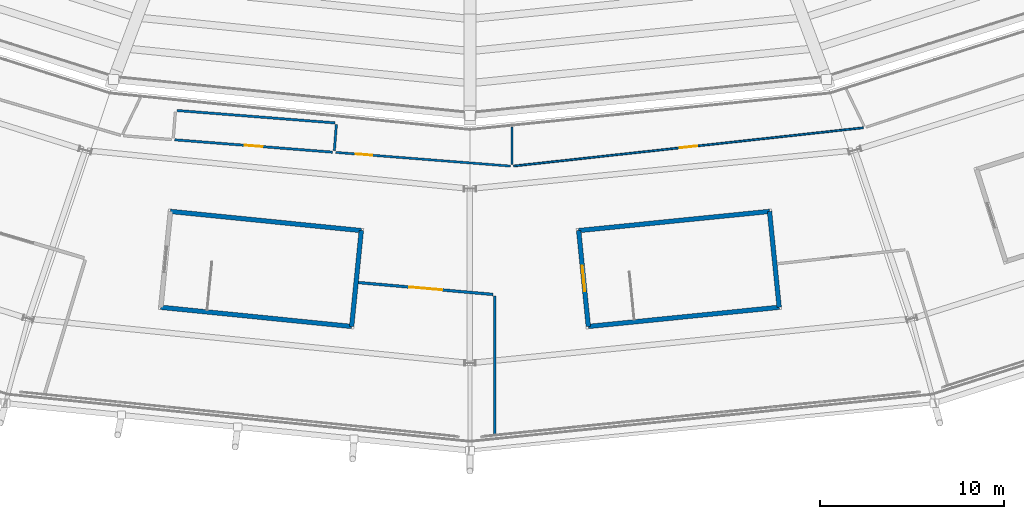
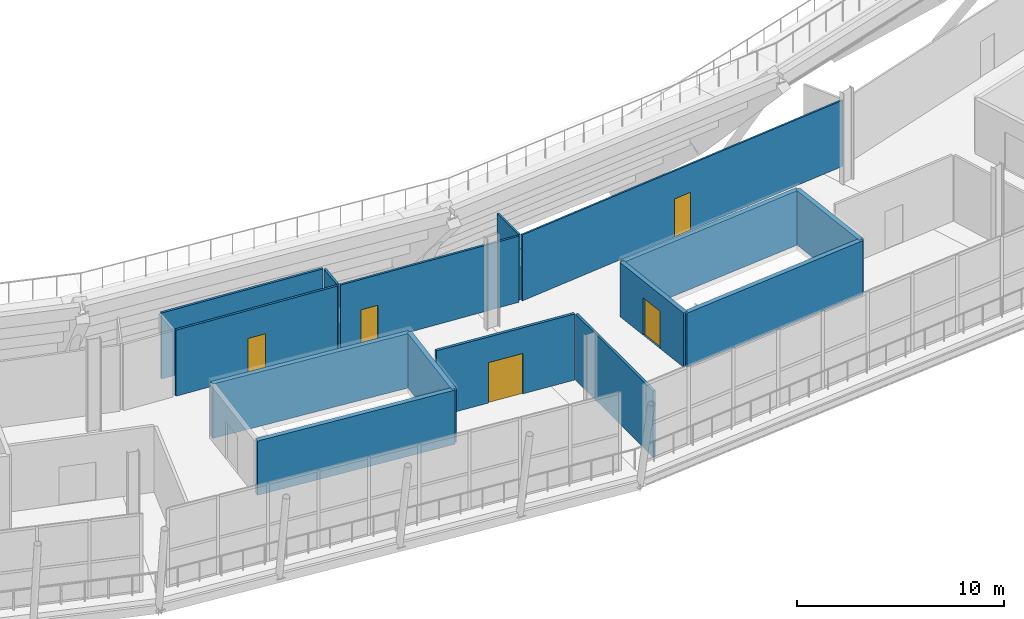
# One storey, part 96 of 126: 15 walls, 5 doors, 5 openings.
"""IFC4 building model written with IfcOpenShell, lengths in metres."""

from ifc_helpers import new_model, si_unit, direction, frame, frame_2d, origin, place, context, subcontext, project, spatial, rectangle, extrude, material, layer, layer_set, type_object, element, fill, save


model = new_model("IFC4")

# Units and contexts
model_context = context("Model", 3, precision=1e-05, world=origin(), true_north=direction((0.0, 1.0)))
body_context = subcontext(model_context, "Body", "Model", "MODEL_VIEW")
ifc_project = project(units=[si_unit("LENGTHUNIT", "METRE"), si_unit("AREAUNIT", "SQUARE_METRE"), si_unit("VOLUMEUNIT", "CUBIC_METRE"), si_unit("PLANEANGLEUNIT", "RADIAN"), si_unit("MASSUNIT", "GRAM", prefix="KILO")], contexts=[model_context])

# Site, building, storey
site_placement = place(None, origin())
site = spatial("IfcSite", under=ifc_project, at=site_placement, CompositionType="ELEMENT")
building_placement = place(site_placement, origin())
building = spatial("IfcBuilding", under=site, at=building_placement, Name="Zlatoyarsky Gate Stadium", CompositionType="ELEMENT")
storey_placement = place(building_placement, frame((0.0, 0.0, 20.800048828125)))
storey = spatial("IfcBuildingStorey", under=building, at=storey_placement, Name="L04", CompositionType="ELEMENT", Elevation=20.800048828125)

# Wall
ifc_material_1 = material(Name="Moisture-resistant masonry partition", Category="masonry")
ifc_layer_1 = layer(ifc_material_1, 0.139892578125)
ifc_layer_set_1 = layer_set([ifc_layer_1], Name="Moisture-resistant masonry partition")
wall_type_1 = type_object("IfcWallType", Name="ATHLETE CHANGING BLOCK PARTITION 140", PredefinedType="PARTITIONING", material=ifc_layer_set_1)
wall_1_placement = place(storey_placement, frame((112.34326171875, 12.64990234375, 0.0), z_axis=(0.0, 0.0, 1.0), x_axis=(-3.2561623e-05, -0.99999999947, 0.0)))
element("IfcWall", 1, at=wall_1_placement, inside=storey, type_object=wall_type_1, Name="L04 interior partition PRT-L04-ORD-17R", PredefinedType="PARTITIONING", context=body_context, shape_type="SweptSolid", body=[
    extrude(rectangle(XDim=7.497802734375, YDim=0.139892578125, at=frame_2d((3.7490234375, 0.0))), origin(), (0.0, 0.0, 1.0), 3.889892578125),
])

# Wall, opening, door
ifc_material_2 = material(Name="Metal-stud gypsum partition", Category="gypsum")
ifc_layer_2 = layer(ifc_material_2, 0.14990234375)
ifc_layer_set_2 = layer_set([ifc_layer_2], Name="Metal-stud gypsum partition")
wall_type_2 = type_object("IfcWallType", Name="CONCOURSE CORRIDOR PARTITION 150", PredefinedType="PARTITIONING", material=ifc_layer_set_2)
wall_2_placement = place(storey_placement, frame((104.924560546875, 13.3896484375, 0.0), z_axis=(0.0, 0.0, 1.0), x_axis=(0.996125750198, -0.087940262634, 0.0)))
wall_2 = element("IfcWall", 2, at=wall_2_placement, inside=storey, type_object=wall_type_2, Name="L04 interior partition PRT-L04-OCC-17-1", PredefinedType="PARTITIONING", context=body_context, shape_type="SweptSolid", body=[
    extrude(rectangle(XDim=7.362548828125, YDim=0.14990234375, at=frame_2d((3.68115234375, 0.0))), origin(), (0.0, 0.0, 1.0), 3.889892578125),
])
opening_1_placement = place(wall_2_placement, frame((2.771240234375, 0.0, 0.0)))
opening_1 = element("IfcOpeningElement", 3, at=opening_1_placement, cuts=wall_2, Name="Opening D-L04-592", PredefinedType="OPENING", context=body_context, shape_type="SweptSolid", body=[
    extrude(rectangle(XDim=1.820068359375, YDim=2.3798828125, at=frame_2d((0.91015625, 1.18994140625))), frame((0.0, 0.0849609375, 0.0), z_axis=(0.0, -1.0, 0.0), x_axis=(1.0, 0.0, 0.0)), (0.0, 0.0, 1.0), 0.169921875),
])
ifc_material_3 = material(Name="Powder-coated steel fire door", Category="steel")
door_type_1 = type_object("IfcDoorType", Name="ACOUSTIC INTERIOR DOOR 1820X2380", OperationType="NOTDEFINED", PredefinedType="DOOR", material=ifc_material_3)
door_1_placement = place(opening_1_placement, origin())
door_1 = element("IfcDoor", 4, at=door_1_placement, inside=storey, type_object=door_type_1, Name="L04 room door D-L04-592", OperationType="SINGLE_SWING_LEFT", OverallHeight=2.3798828125, OverallWidth=1.820068359375, PredefinedType="DOOR", context=body_context, shape_type="SweptSolid", body=[
    extrude(rectangle(XDim=1.820068359375, YDim=2.3798828125, at=frame_2d((0.91015625, 1.18994140625))), frame((0.0, 0.02490234375, 0.0), z_axis=(0.0, -1.0, 0.0), x_axis=(1.0, 0.0, 0.0)), (0.0, 0.0, 1.0), 0.050048828125),
])
fill(opening_1, door_1)

ifc_material_4 = material(Name="Concrete C40/50", Category="concrete")
ifc_layer_3 = layer(ifc_material_4, 0.25)
ifc_layer_set_3 = layer_set([ifc_layer_3], Name="Concrete C40/50")
wall_type_3 = type_object("IfcWallType", Name="CONCRETE STAIR CORE SHEAR WALL 250", PredefinedType="SHEAR", material=ifc_layer_set_3)
wall_3_placement = place(storey_placement, frame((116.92138671875, 16.220947265625, 0.0), z_axis=(0.0, 0.0, 1.0), x_axis=(0.100028593886, -0.994984562898, 0.0)))
wall_3 = element("IfcWall", 5, at=wall_3_placement, inside=storey, type_object=wall_type_3, Name="ST-10 L04 stair core entrance shear wall", PredefinedType="SHEAR", context=body_context, shape_type="SweptSolid", body=[
    extrude(rectangle(XDim=5.25, YDim=0.25, at=frame_2d((2.625, 0.0))), origin(), (0.0, 0.0, 1.0), 3.199951171875),
])
opening_2_placement = place(wall_3_placement, frame((1.925048828125, 0.0, 0.0)))
opening_2 = element("IfcOpeningElement", 6, at=opening_2_placement, cuts=wall_3, Name="Opening SD-ST-10-L04", PredefinedType="OPENING", context=body_context, shape_type="SweptSolid", body=[
    extrude(rectangle(XDim=1.39990234375, YDim=2.199951171875, at=frame_2d((0.699951171875, 1.10009765625))), frame((0.0, 0.135009765625, 0.0), z_axis=(0.0, -1.0, 0.0), x_axis=(1.0, 0.0, 0.0)), (0.0, 0.0, 1.0), 0.27001953125),
])
door_type_2 = type_object("IfcDoorType", Name="STAIR CORE FIRE EXIT DOOR 1400X2200", OperationType="NOTDEFINED", PredefinedType="DOOR", material=ifc_material_3)
door_2_placement = place(opening_2_placement, frame((1.39990234375, 0.0, 0.0), z_axis=(0.0, 0.0, 1.0), x_axis=(-1.0, 0.0, 0.0)))
door_2 = element("IfcDoor", 7, at=door_2_placement, inside=storey, type_object=door_type_2, Name="ST-10 L04 stair fire door", OperationType="SINGLE_SWING_RIGHT", OverallHeight=2.199951171875, OverallWidth=1.39990234375, PredefinedType="DOOR", context=body_context, shape_type="SweptSolid", body=[
    extrude(rectangle(XDim=1.39990234375, YDim=2.199951171875, at=frame_2d((0.699951171875, 1.10009765625))), frame((0.0, 0.02490234375, 0.0), z_axis=(0.0, -1.0, 0.0), x_axis=(1.0, 0.0, 0.0)), (0.0, 0.0, 1.0), 0.050048828125),
])
fill(opening_2, door_2)

# Walls
wall_4_placement = place(storey_placement, frame((117.446533203125, 10.997314453125, 0.0), z_axis=(0.0, 0.0, 1.0), x_axis=(0.994985938948, 0.100014905366, 0.0)))
element("IfcWall", 8, at=wall_4_placement, inside=storey, type_object=wall_type_3, Name="ST-10 L04 stair core left shear wall", PredefinedType="SHEAR", context=body_context, shape_type="SweptSolid", body=[
    extrude(rectangle(XDim=10.4501953125, YDim=0.25, at=frame_2d((5.22509765625, 0.0))), origin(), (0.0, 0.0, 1.0), 3.199951171875),
])
wall_5_placement = place(storey_placement, frame((127.84423828125, 12.04248046875, 0.0), z_axis=(0.0, 0.0, 1.0), x_axis=(-0.100028593886, 0.994984562898, 0.0)))
element("IfcWall", 9, at=wall_5_placement, inside=storey, type_object=wall_type_3, Name="ST-10 L04 stair core far shear wall", PredefinedType="SHEAR", context=body_context, shape_type="SweptSolid", body=[
    extrude(rectangle(XDim=5.25, YDim=0.25, at=frame_2d((2.625, 0.0))), origin(), (0.0, 0.0, 1.0), 3.199951171875),
])
for number, where, z_axis, x_axis, name in (
    (10, (127.319091796875, 17.26611328125, 0.0), (0.0, 0.0, 1.0), (-0.994985938948, -0.100014905366, 0.0), "ST-10 L04 stair core right shear wall"),
    (11, (94.15576171875, 12.042236328125, 0.0), (0.0, 0.0, 1.0), (0.994988263568, -0.09999177647, 0.0), "ST-19 L04 stair core left shear wall"),
):
    element("IfcWall", number, at=place(storey_placement, frame(where, z_axis=z_axis, x_axis=x_axis)), inside=storey, type_object=wall_type_3, Name=name, PredefinedType="SHEAR", context=body_context, shape_type="SweptSolid", body=[
        extrude(rectangle(XDim=10.4501953125, YDim=0.25, at=frame_2d((5.22509765625, 0.0))), origin(), (0.0, 0.0, 1.0), 3.199951171875),
    ])
wall_6_placement = place(storey_placement, frame((104.553466796875, 10.997314453125, 0.0), z_axis=(0.0, 0.0, 1.0), x_axis=(0.099982555566, 0.994989190184, 0.0)))
element("IfcWall", 12, at=wall_6_placement, inside=storey, type_object=wall_type_3, Name="ST-19 L04 stair core far shear wall", PredefinedType="SHEAR", context=body_context, shape_type="SweptSolid", body=[
    extrude(rectangle(XDim=5.25, YDim=0.25, at=frame_2d((2.625, 0.0))), origin(), (0.0, 0.0, 1.0), 3.199951171875),
])
wall_7_placement = place(storey_placement, frame((105.078369140625, 16.220947265625, 0.0), z_axis=(0.0, 0.0, 1.0), x_axis=(-0.994985705245, 0.100017230303, 0.0)))
element("IfcWall", 13, at=wall_7_placement, inside=storey, type_object=wall_type_3, Name="ST-19 L04 stair core right shear wall", PredefinedType="SHEAR", context=body_context, shape_type="SweptSolid", body=[
    extrude(rectangle(XDim=10.449951171875, YDim=0.25, at=frame_2d((5.22509765625, 0.0))), origin(), (0.0, 0.0, 1.0), 3.199951171875),
])
ifc_layer_4 = layer(ifc_material_2, 0.110107421875)
ifc_layer_set_4 = layer_set([ifc_layer_4], Name="Metal-stud gypsum partition")
wall_type_4 = type_object("IfcWallType", Name="KIOSK SERVICE PARTITION 110", PredefinedType="PARTITIONING", material=ifc_layer_set_4)
wall_8_placement = place(storey_placement, frame((113.288330078125, 21.86669921875, 0.0), z_axis=(0.0, 0.0, 1.0), x_axis=(0.000118906063, -0.999999992931, 0.0)))
element("IfcWall", 14, at=wall_8_placement, inside=storey, type_object=wall_type_4, Name="L04 interior partition PRT-L04-IRD-18", PredefinedType="PARTITIONING", context=body_context, shape_type="SweptSolid", body=[
    extrude(rectangle(XDim=2.05322265625, YDim=0.110107421875, at=frame_2d((1.026611328125, 0.0))), origin(), (0.0, 0.0, 1.0), 3.889892578125),
])

# Wall, opening, door
ifc_layer_5 = layer(ifc_material_2, 0.10009765625)
ifc_layer_set_5 = layer_set([ifc_layer_5], Name="Metal-stud gypsum partition")
wall_type_5 = type_object("IfcWallType", Name="LIGHT STORAGE PARTITION 100", PredefinedType="PARTITIONING", material=ifc_layer_set_5)
wall_9_placement = place(storey_placement, frame((113.373046875, 19.737548828125, 0.0), z_axis=(0.0, 0.0, 1.0), x_axis=(0.994069777287, 0.108744093563, 0.0)))
wall_9 = element("IfcWall", 15, at=wall_9_placement, inside=storey, type_object=wall_type_5, Name="L04 vomitory portal wall PRT-L04-ICC-18", PredefinedType="PARTITIONING", context=body_context, shape_type="SweptSolid", body=[
    extrude(rectangle(XDim=19.168701171875, YDim=0.10009765625, at=frame_2d((9.58447265625, 0.0))), origin(), (0.0, 0.0, 1.0), 3.889892578125),
])
opening_3_placement = place(wall_9_placement, frame((9.104248046875, 0.0, 0.0)))
opening_3 = element("IfcOpeningElement", 16, at=opening_3_placement, cuts=wall_9, Name="Opening D-L04-547", PredefinedType="OPENING", context=body_context, shape_type="SweptSolid", body=[
    extrude(rectangle(XDim=0.9599609375, YDim=2.239990234375, at=frame_2d((0.47998046875, 1.1201171875))), frame((0.0, 0.06005859375, 0.0), z_axis=(0.0, -1.0, 0.0), x_axis=(1.0, 0.0, 0.0)), (0.0, 0.0, 1.0), 0.1201171875),
])
ifc_material_5 = material(Name="Solid-core oak veneer acoustic door", Category="wood")
door_type_3 = type_object("IfcDoorType", Name="ACOUSTIC INTERIOR DOOR 960X2240", OperationType="NOTDEFINED", PredefinedType="DOOR", material=ifc_material_5)
door_3_placement = place(opening_3_placement, origin())
door_3 = element("IfcDoor", 17, at=door_3_placement, inside=storey, type_object=door_type_3, Name="L04 vomitory portal door D-L04-547", OperationType="SINGLE_SWING_LEFT", OverallHeight=2.239990234375, OverallWidth=0.9599609375, PredefinedType="DOOR", context=body_context, shape_type="SweptSolid", body=[
    extrude(rectangle(XDim=0.9599609375, YDim=2.239990234375, at=frame_2d((0.47998046875, 1.1201171875))), frame((0.0, 0.02490234375, 0.0), z_axis=(0.0, -1.0, 0.0), x_axis=(1.0, 0.0, 0.0)), (0.0, 0.0, 1.0), 0.050048828125),
])
fill(opening_3, door_3)

ifc_layer_6 = layer(ifc_material_2, 0.1201171875)
ifc_layer_set_6 = layer_set([ifc_layer_6], Name="Metal-stud gypsum partition")
wall_type_6 = type_object("IfcWallType", Name="OFFICE AND PRESS PARTITION 120", PredefinedType="PARTITIONING", material=ifc_layer_set_6)
wall_10_placement = place(storey_placement, frame((103.68701171875, 20.48046875, 0.0), z_axis=(0.0, 0.0, 1.0), x_axis=(0.996947010811, -0.078081096534, 0.0)))
wall_10 = element("IfcWall", 18, at=wall_10_placement, inside=storey, type_object=wall_type_6, Name="L04 interior partition PRT-L04-ICC-17", PredefinedType="PARTITIONING", context=body_context, shape_type="SweptSolid", body=[
    extrude(rectangle(XDim=9.5458984375, YDim=0.1201171875, at=frame_2d((4.77294921875, 0.0))), origin(), (0.0, 0.0, 1.0), 3.889892578125),
])
opening_4_placement = place(wall_10_placement, frame((1.10009765625, 0.0, 0.0)))
opening_4 = element("IfcOpeningElement", 19, at=opening_4_placement, cuts=wall_10, Name="Opening D-L04-545", PredefinedType="OPENING", context=body_context, shape_type="SweptSolid", body=[
    extrude(rectangle(XDim=0.89990234375, YDim=2.10009765625, at=frame_2d((0.449951171875, 1.050048828125))), frame((0.0, 0.070068359375, 0.0), z_axis=(0.0, -1.0, 0.0), x_axis=(1.0, 0.0, 0.0)), (0.0, 0.0, 1.0), 0.14013671875),
])
door_type_4 = type_object("IfcDoorType", Name="ACOUSTIC INTERIOR DOOR 900X2100", OperationType="NOTDEFINED", PredefinedType="DOOR", material=ifc_material_5)
door_4_placement = place(opening_4_placement, origin())
door_4 = element("IfcDoor", 20, at=door_4_placement, inside=storey, type_object=door_type_4, Name="L04 room door D-L04-545", OperationType="SINGLE_SWING_RIGHT", OverallHeight=2.10009765625, OverallWidth=0.89990234375, PredefinedType="DOOR", context=body_context, shape_type="SweptSolid", body=[
    extrude(rectangle(XDim=0.89990234375, YDim=2.10009765625, at=frame_2d((0.449951171875, 1.050048828125))), frame((0.0, 0.02490234375, 0.0), z_axis=(0.0, -1.0, 0.0), x_axis=(1.0, 0.0, 0.0)), (0.0, 0.0, 1.0), 0.050048828125),
])
fill(opening_4, door_4)

ifc_material_6 = material(Name="Moisture-resistant tile-backed partition", Category="gypsum")
ifc_layer_7 = layer(ifc_material_6, 0.1298828125)
ifc_layer_set_7 = layer_set([ifc_layer_7], Name="Moisture-resistant tile-backed partition")
wall_type_7 = type_object("IfcWallType", Name="SANITARY WET ROOM PARTITION 130", PredefinedType="PARTITIONING", material=ifc_layer_set_7)
wall_11_placement = place(storey_placement, frame((94.9140625, 21.16748046875, 0.0), z_axis=(0.0, 0.0, 1.0), x_axis=(0.99694701985, -0.078080981123, 0.0)))
wall_11 = element("IfcWall", 21, at=wall_11_placement, inside=storey, type_object=wall_type_7, Name="L04 interior partition PRT-L04-WC17-F", PredefinedType="PARTITIONING", context=body_context, shape_type="SweptSolid", body=[
    extrude(rectangle(XDim=8.6298828125, YDim=0.1298828125, at=frame_2d((4.31494140625, 0.0))), origin(), (0.0, 0.0, 1.0), 3.889892578125),
])
opening_5_placement = place(wall_11_placement, frame((3.8349609375, 0.0, 0.0)))
opening_5 = element("IfcOpeningElement", 22, at=opening_5_placement, cuts=wall_11, Name="Opening D-L04-540", PredefinedType="OPENING", context=body_context, shape_type="SweptSolid", body=[
    extrude(rectangle(XDim=0.9599609375, YDim=2.239990234375, at=frame_2d((0.47998046875, 1.1201171875))), frame((0.0, 0.074951171875, 0.0), z_axis=(0.0, -1.0, 0.0), x_axis=(1.0, 0.0, 0.0)), (0.0, 0.0, 1.0), 0.14990234375),
])
door_5_placement = place(opening_5_placement, origin())
door_5 = element("IfcDoor", 23, at=door_5_placement, inside=storey, type_object=door_type_3, Name="L04 room door D-L04-540", OperationType="SINGLE_SWING_LEFT", OverallHeight=2.239990234375, OverallWidth=0.9599609375, PredefinedType="DOOR", context=body_context, shape_type="SweptSolid", body=[
    extrude(rectangle(XDim=0.9599609375, YDim=2.239990234375, at=frame_2d((0.47998046875, 1.1201171875))), frame((0.0, 0.02490234375, 0.0), z_axis=(0.0, -1.0, 0.0), x_axis=(1.0, 0.0, 0.0)), (0.0, 0.0, 1.0), 0.050048828125),
])
fill(opening_5, door_5)

# Walls
wall_12_placement = place(storey_placement, frame((95.038818359375, 22.7626953125, 0.0), z_axis=(0.0, 0.0, 1.0), x_axis=(0.996944989866, -0.078106895861, 0.0)))
element("IfcWall", 24, at=wall_12_placement, inside=storey, type_object=wall_type_7, Name="L04 interior partition PRT-L04-WC17-B", PredefinedType="PARTITIONING", context=body_context, shape_type="SweptSolid", body=[
    extrude(rectangle(XDim=8.630126953125, YDim=0.1298828125, at=frame_2d((4.31494140625, 0.0))), origin(), (0.0, 0.0, 1.0), 3.889892578125),
])
wall_13_placement = place(storey_placement, frame((103.60888671875, 20.57177734375, 0.0), z_axis=(0.0, 0.0, 1.0), x_axis=(0.07819789998, 0.996937855856, 0.0)))
element("IfcWall", 25, at=wall_13_placement, inside=storey, type_object=wall_type_7, Name="L04 interior partition PRT-L04-WC17-R", PredefinedType="PARTITIONING", context=body_context, shape_type="SweptSolid", body=[
    extrude(rectangle(XDim=1.429931640625, YDim=0.1298828125, at=frame_2d((0.71484375, 0.0))), origin(), (0.0, 0.0, 1.0), 3.889892578125),
])

save(model, "model.ifc")
